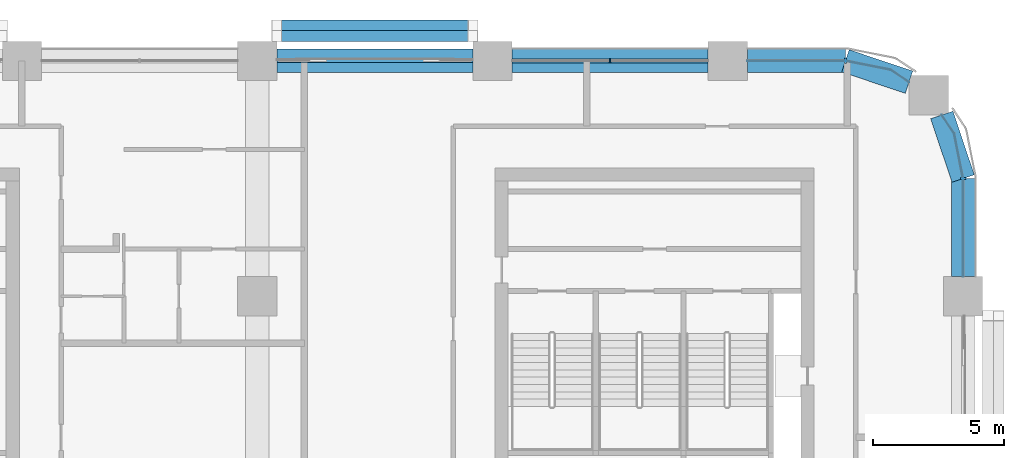
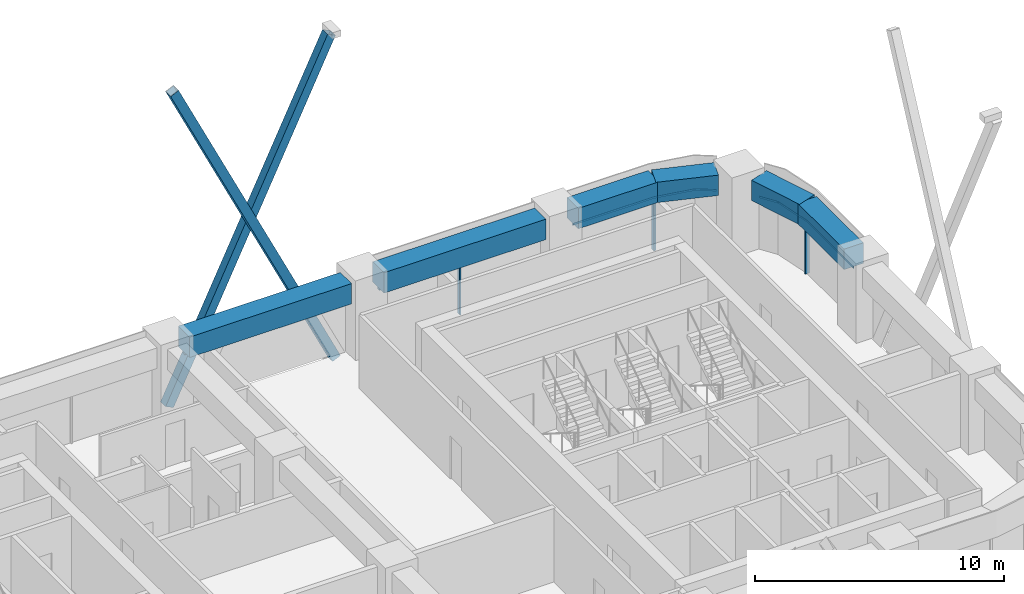
# One storey, part 5 of 13: 9 members, 6 beams, 4 elements without a shape of their own.
"""IFC4 building model written with IfcOpenShell, lengths in metres."""

from ifc_helpers import new_model, si_unit, direction, frame, origin, origin_2d, place, context, subcontext, project, spatial, polyline, rectangle, hollow_rectangle, outline, extrude, material, material_profile, profile_set, type_object, element, aggregate, save


model = new_model("IFC4")

# Units and contexts
model_context = context("Model", 3, precision=1e-05, world=origin(), true_north=direction((0.0, 1.0)))
body_context = subcontext(model_context, "Body", "Model", "MODEL_VIEW")
ifc_project = project(units=[si_unit("LENGTHUNIT", "METRE"), si_unit("AREAUNIT", "SQUARE_METRE"), si_unit("VOLUMEUNIT", "CUBIC_METRE"), si_unit("PLANEANGLEUNIT", "RADIAN"), si_unit("MASSUNIT", "GRAM", prefix="KILO")], contexts=[model_context])

# Site, building, storey
site_placement = place(None, origin())
site = spatial("IfcSite", under=ifc_project, at=site_placement, CompositionType="ELEMENT")
building_placement = place(site_placement, origin())
building = spatial("IfcBuilding", under=site, at=building_placement, Name="Tessera Arch", CompositionType="ELEMENT")
storey_placement = place(building_placement, frame((0.0, 0.0, 166.10009765625)))
storey = spatial("IfcBuildingStorey", under=building, at=storey_placement, Name="L39", CompositionType="ELEMENT", Elevation=166.10009765625)

# Members
ifc_material_1 = material(Name="Steel A500 Gr C", Category="steel")
ifc_material_profile_1 = material_profile(ifc_material_1, hollow_rectangle(XDim=0.406494140625, YDim=0.406494140625, WallThickness=0.0146484375, at=origin_2d()), Name="HSS16x16x5/8")
ifc_profile_set_1 = profile_set([ifc_material_profile_1], Name="Steel A500 Gr C")
member_type_1 = type_object("IfcMemberType", Name="Brace HSS16x16x5/8 Steel A500 Gr C", PredefinedType="BRACE", material=ifc_profile_set_1)
for number, where, z_axis, x_axis, name in (
    (1, (35.25, 54.953125, -0.800048828125), (-0.433297739671, 0.0, 0.90125083567), (0.0, -1.0, 0.0), "Brace N54.0-2 A L39-L42"),
    (2, (27.75, 55.359619140625, -0.800048828125), (0.433297739671, 0.0, 0.90125083567), (0.0, 1.0, 0.0), "Brace N54.0-2 B L39-L42"),
):
    element("IfcMember", number, at=place(storey_placement, frame(where, z_axis=z_axis, x_axis=x_axis)), inside=storey, type_object=member_type_1, Name=name, PredefinedType="BRACE", context=body_context, shape_type="SweptSolid", body=[
        extrude(hollow_rectangle(XDim=0.406494140625, YDim=0.406494140625, WallThickness=0.0146484375, at=origin_2d()), origin(), (0.0, 0.0, 1.0), 17.30908203125),
    ])

# Curtain wall, members
ifc_material_2 = material(Name="CW1 curtain wall")
curtain_wall_type_1 = type_object("IfcCurtainWallType", Name="CW1 curtain wall", PredefinedType="NOTDEFINED", material=ifc_material_2)
curtain_wall_1_placement = place(storey_placement, origin())
curtain_wall_1 = element("IfcCurtainWall", 3, at=curtain_wall_1_placement, inside=storey, type_object=curtain_wall_type_1, Name="CW1 curtain wall N54.0/1 L39", PredefinedType="NOTDEFINED")
ifc_material_3 = material(Name="Anodised aluminium pale metal", Category="aluminium")
ifc_material_profile_2 = material_profile(ifc_material_3, rectangle(XDim=0.159912109375, YDim=0.06005859375, at=origin_2d()), Name="AL 60x160")
ifc_profile_set_2 = profile_set([ifc_material_profile_2], Name="Anodised aluminium pale metal")
member_type_2 = type_object("IfcMemberType", Name="CW1 mullion", PredefinedType="MULLION", material=ifc_profile_set_2)
member_1_placement = place(storey_placement, frame((40.5, 54.0, 0.0), z_axis=(0.0, 0.0, 1.0), x_axis=(0.0, -1.0, 0.0)))
member_1 = element("IfcMember", 4, at=member_1_placement, type_object=member_type_2, Name="CW1 mullion N54.0/1 1", PredefinedType="MULLION", context=body_context, shape_type="SweptSolid", body=[
    extrude(rectangle(XDim=0.159912109375, YDim=0.06005859375, at=origin_2d()), origin(), (0.0, 0.0, 1.0), 2.5),
])
ifc_material_4 = material(Name="Anodised aluminium pale metal", Category="aluminium")
ifc_material_profile_3 = material_profile(ifc_material_4, rectangle(XDim=0.159912109375, YDim=0.10009765625, at=origin_2d()), Name="AL 160x100")
ifc_profile_set_3 = profile_set([ifc_material_profile_3], Name="Anodised aluminium pale metal")
member_type_3 = type_object("IfcMemberType", Name="CW1 transom", PredefinedType="USERDEFINED", material=ifc_profile_set_3)
member_2_placement = place(storey_placement, frame((44.25, 54.0, 2.5498046875), z_axis=(-1.0, 0.0, 0.0), x_axis=(0.0, -1.0, 0.0)))
member_2 = element("IfcMember", 5, at=member_2_placement, type_object=member_type_3, Name="CW1 transom N54.0/1 1.1", ObjectType="TRANSOM", PredefinedType="USERDEFINED", context=body_context, shape_type="SweptSolid", body=[
    extrude(rectangle(XDim=0.159912109375, YDim=0.10009765625, at=origin_2d()), origin(), (0.0, 0.0, 1.0), 7.5),
])
aggregate(curtain_wall_1, [member_1, member_2])

# Curtain wall, member
ifc_material_5 = material(Name="CW2 curtain wall")
curtain_wall_type_2 = type_object("IfcCurtainWallType", Name="CW2 curtain wall", PredefinedType="NOTDEFINED", material=ifc_material_5)
curtain_wall_2_placement = place(storey_placement, origin())
curtain_wall_2 = element("IfcCurtainWall", 6, at=curtain_wall_2_placement, inside=storey, type_object=curtain_wall_type_2, Name="CW2 curtain wall E54.27/1 L39", PredefinedType="NOTDEFINED")
ifc_material_6 = material(Name="Anodised aluminium pale metal", Category="aluminium")
ifc_material_profile_4 = material_profile(ifc_material_6, rectangle(XDim=0.199951171875, YDim=0.080078125, at=origin_2d()), Name="AL 80x200")
ifc_profile_set_4 = profile_set([ifc_material_profile_4], Name="Anodised aluminium pale metal")
member_type_4 = type_object("IfcMemberType", Name="CW2 mullion", PredefinedType="MULLION", material=ifc_profile_set_4)
member_3_placement = place(storey_placement, frame((54.0, 49.5, 0.0), z_axis=(0.0, 0.0, 1.0), x_axis=(-1.0, 0.0, 0.0)))
member_3 = element("IfcMember", 7, at=member_3_placement, type_object=member_type_4, Name="CW2 mullion E54.27/1 1", PredefinedType="MULLION", context=body_context, shape_type="SweptSolid", body=[
    extrude(rectangle(XDim=0.199951171875, YDim=0.080078125, at=origin_2d()), origin(), (0.0, 0.0, 1.0), 2.5),
])

curtain_wall_3_placement = place(storey_placement, origin())
curtain_wall_3 = element("IfcCurtainWall", 8, at=curtain_wall_3_placement, inside=storey, type_object=curtain_wall_type_2, Name="CW2 curtain wall N54.0/0 L39", PredefinedType="NOTDEFINED")
member_4_placement = place(storey_placement, frame((49.5, 54.0, 0.0), z_axis=(0.0, 0.0, 1.0), x_axis=(0.0, -1.0, 0.0)))
member_4 = element("IfcMember", 9, at=member_4_placement, type_object=member_type_4, Name="CW2 mullion N54.0/0 1", PredefinedType="MULLION", context=body_context, shape_type="SweptSolid", body=[
    extrude(rectangle(XDim=0.199951171875, YDim=0.080078125, at=origin_2d()), origin(), (0.0, 0.0, 1.0), 2.5),
])

# Member
ifc_material_7 = material(Name="Anodised aluminium pale metal", Category="aluminium")
ifc_material_profile_5 = material_profile(ifc_material_7, rectangle(XDim=0.199951171875, YDim=0.10009765625, at=origin_2d()), Name="AL 200x100")
ifc_profile_set_5 = profile_set([ifc_material_profile_5], Name="Anodised aluminium pale metal")
member_type_5 = type_object("IfcMemberType", Name="CW2 transom", PredefinedType="USERDEFINED", material=ifc_profile_set_5)
member_5_placement = place(storey_placement, frame((0.0, 0.0, 2.5)))
member_5 = element("IfcMember", 10, at=member_5_placement, type_object=member_type_5, Name="CW2 transom E54.27/1 1", ObjectType="TRANSOM", PredefinedType="USERDEFINED", context=body_context, shape_type="SweptSolid", body=[
    extrude(outline(polyline([(53.989990234375, 49.4990234375), (53.989990234375, 45.75), (54.010009765625, 45.75), (54.010009765625, 49.5009765625), (53.6669921875, 51.22607421875), (53.19140625, 51.9375), (53.1748046875, 51.926513671875), (53.648193359375, 51.21826171875), (53.989990234375, 49.4990234375)])), origin(), (0.0, 0.0, 1.0), 0.099853515625),
])

aggregate(curtain_wall_2, [member_3, member_5])

member_6_placement = place(storey_placement, frame((0.0, 0.0, 2.5)))
member_6 = element("IfcMember", 11, at=member_6_placement, type_object=member_type_5, Name="CW2 transom N54.0/0 1", ObjectType="TRANSOM", PredefinedType="USERDEFINED", context=body_context, shape_type="SweptSolid", body=[
    extrude(outline(polyline([(51.21826171875, 53.648193359375), (51.926513671875, 53.1748046875), (51.9375, 53.19140625), (51.22607421875, 53.6669921875), (49.5009765625, 54.010009765625), (45.75, 54.010009765625), (45.75, 53.989990234375), (49.4990234375, 53.989990234375), (51.21826171875, 53.648193359375)])), origin(), (0.0, 0.0, 1.0), 0.099853515625),
])

aggregate(curtain_wall_3, [member_4, member_6])

# Curtain wall, member
ifc_material_8 = material(Name="CW3 curtain wall")
curtain_wall_type_3 = type_object("IfcCurtainWallType", Name="CW3 curtain wall", PredefinedType="NOTDEFINED", material=ifc_material_8)
curtain_wall_4_placement = place(storey_placement, origin())
curtain_wall_4 = element("IfcCurtainWall", 12, at=curtain_wall_4_placement, inside=storey, type_object=curtain_wall_type_3, Name="CW3 curtain wall N54.0/2 L39", PredefinedType="NOTDEFINED")
ifc_material_9 = material(Name="Anodised aluminium pale metal", Category="aluminium")
ifc_material_profile_6 = material_profile(ifc_material_9, rectangle(XDim=0.139892578125, YDim=0.10009765625, at=origin_2d()), Name="AL 140x100")
ifc_profile_set_6 = profile_set([ifc_material_profile_6], Name="Anodised aluminium pale metal")
member_type_6 = type_object("IfcMemberType", Name="CW3 transom", PredefinedType="USERDEFINED", material=ifc_profile_set_6)
member_7_placement = place(storey_placement, frame((35.25, 54.0, 2.5498046875), z_axis=(-1.0, 0.0, 0.0), x_axis=(0.0, -1.0, 0.0)))
member_7 = element("IfcMember", 13, at=member_7_placement, type_object=member_type_6, Name="CW3 transom N54.0/2 1.1", ObjectType="TRANSOM", PredefinedType="USERDEFINED", context=body_context, shape_type="SweptSolid", body=[
    extrude(rectangle(XDim=0.139892578125, YDim=0.10009765625, at=origin_2d()), origin(), (0.0, 0.0, 1.0), 7.5),
])
aggregate(curtain_wall_4, [member_7])

# Beams
ifc_material_10 = material(Name="Concrete C70/85", Category="concrete")
ifc_material_profile_7 = material_profile(ifc_material_10, rectangle(XDim=0.89990234375, YDim=1.0, at=origin_2d()), Name="RC spandrel beam 900 x 1000 Concrete C70/85")
ifc_profile_set_7 = profile_set([ifc_material_profile_7], Name="Concrete C70/85")
beam_type = type_object("IfcBeamType", Name="RC spandrel beam 900 x 1000 Concrete C70/85", PredefinedType="BEAM", material=ifc_profile_set_7)
beam_1_placement = place(storey_placement, frame((54.0, 45.75, 3.099853515625), z_axis=(0.0, 1.0, 0.0), x_axis=(-1.0, 0.0, 0.0)))
element("IfcBeam", 14, at=beam_1_placement, inside=storey, type_object=beam_type, Name="Spandrel beam L39 E54.27/1.1", PredefinedType="BEAM", context=body_context, shape_type="SweptSolid", body=[
    extrude(rectangle(XDim=0.89990234375, YDim=1.0, at=origin_2d()), origin(), (0.0, 0.0, 1.0), 3.75),
])
for number, where, z_axis, x_axis, name in (
    (15, (54.0, 49.5, 3.099853515625), (-0.31842525032, 0.947947973234, 0.0), (-0.947947973234, -0.31842525032, 0.0), "Spandrel beam L39 E54.27/1.2"),
    (16, (51.931884765625, 53.18310546875, 3.099853515625), (-0.947947973234, 0.31842525032, 0.0), (-0.31842525032, -0.947947973234, 0.0), "Spandrel beam L39 N54.0/0.1"),
):
    element("IfcBeam", number, at=place(storey_placement, frame(where, z_axis=z_axis, x_axis=x_axis)), inside=storey, type_object=beam_type, Name=name, PredefinedType="BEAM", context=body_context, shape_type="SweptSolid", body=[
        extrude(rectangle(XDim=0.89990234375, YDim=1.0, at=origin_2d()), origin(), (0.0, 0.0, 1.0), 2.5654296875),
    ])
beam_2_placement = place(storey_placement, frame((49.5, 54.0, 3.099853515625), z_axis=(-1.0, 0.0, 0.0), x_axis=(0.0, -1.0, 0.0)))
element("IfcBeam", 17, at=beam_2_placement, inside=storey, type_object=beam_type, Name="Spandrel beam L39 N54.0/0.2", PredefinedType="BEAM", context=body_context, shape_type="SweptSolid", body=[
    extrude(rectangle(XDim=0.89990234375, YDim=1.0, at=origin_2d()), origin(), (0.0, 0.0, 1.0), 3.75),
])
for number, where, z_axis, x_axis, name in (
    (18, (44.25, 54.0, 3.099853515625), (-1.0, 0.0, 0.0), (0.0, -1.0, 0.0), "Spandrel beam L39 N54.0/1"),
    (19, (35.25, 54.0, 3.099853515625), (-1.0, 0.0, 0.0), (0.0, -1.0, 0.0), "Spandrel beam L39 N54.0/2"),
):
    element("IfcBeam", number, at=place(storey_placement, frame(where, z_axis=z_axis, x_axis=x_axis)), inside=storey, type_object=beam_type, Name=name, PredefinedType="BEAM", context=body_context, shape_type="SweptSolid", body=[
        extrude(rectangle(XDim=0.89990234375, YDim=1.0, at=origin_2d()), origin(), (0.0, 0.0, 1.0), 7.5),
    ])

save(model, "model.ifc")
